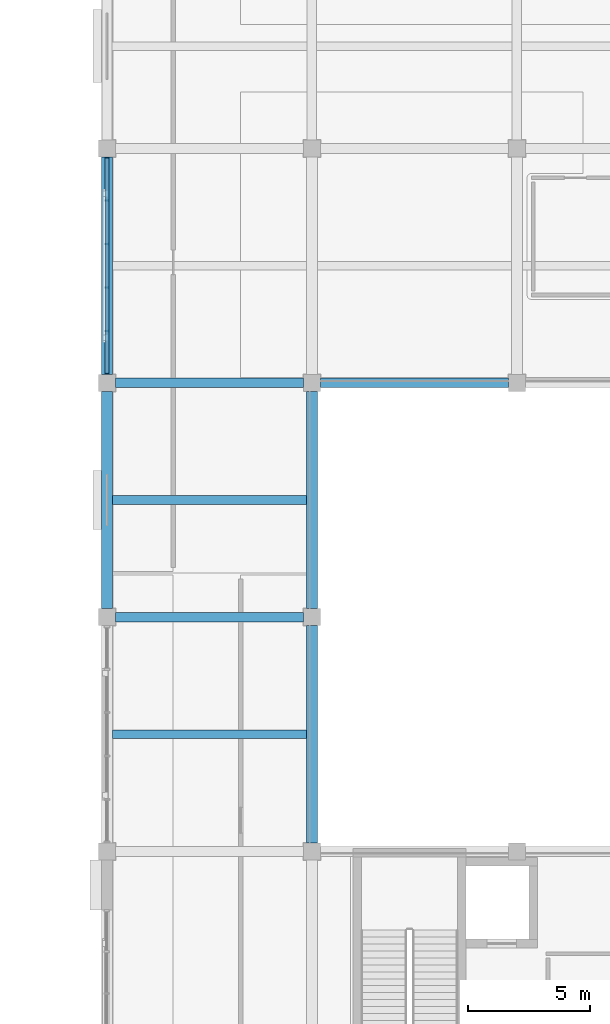
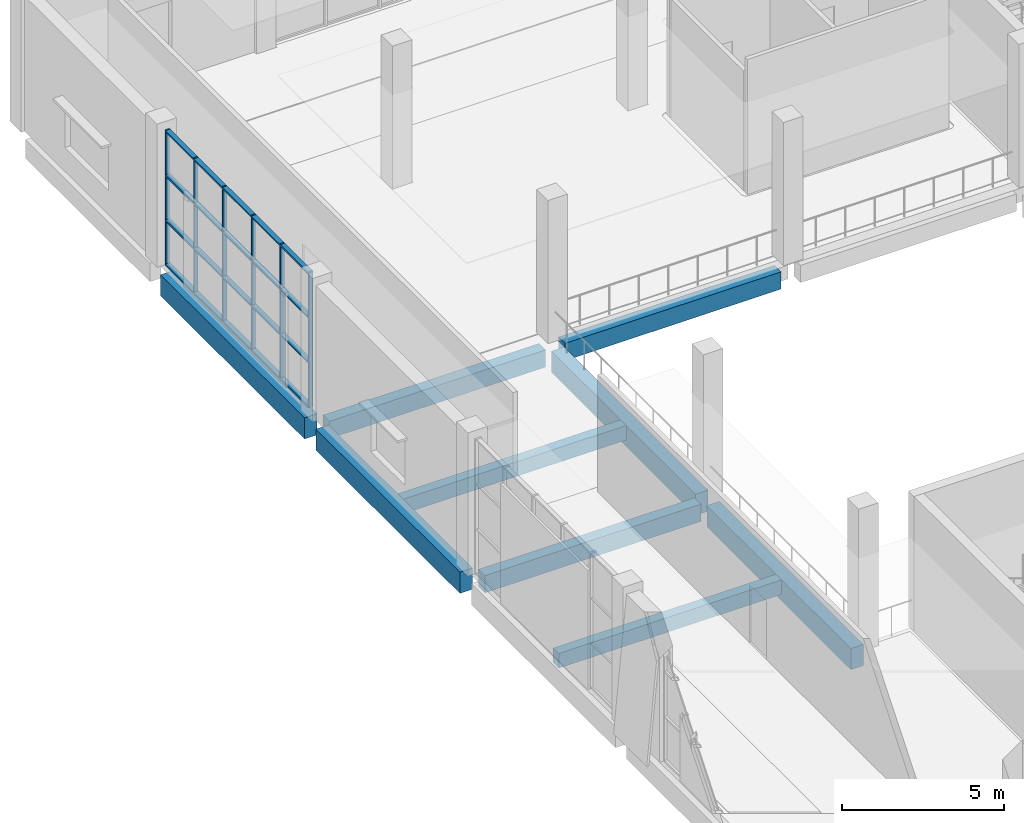
# One storey, part 29 of 72: 10 members, 9 beams, 1 element without a shape of its own.
"""IFC4 building model written with IfcOpenShell, lengths in metres."""

from ifc_helpers import new_model, si_unit, direction, frame, origin, origin_2d, place, context, subcontext, project, spatial, rectangle, extrude, material, material_profile, profile_set, type_object, element, aggregate, save


model = new_model("IFC4")

# Units and contexts
model_context = context("Model", 3, precision=1e-05, world=origin(), true_north=direction((0.0, 1.0)))
body_context = subcontext(model_context, "Body", "Model", "MODEL_VIEW")
ifc_project = project(units=[si_unit("LENGTHUNIT", "METRE"), si_unit("AREAUNIT", "SQUARE_METRE"), si_unit("VOLUMEUNIT", "CUBIC_METRE"), si_unit("PLANEANGLEUNIT", "RADIAN"), si_unit("MASSUNIT", "GRAM", prefix="KILO")], contexts=[model_context])

# Site, building, storey
site_placement = place(None, origin())
site = spatial("IfcSite", under=ifc_project, at=site_placement, CompositionType="ELEMENT")
building_placement = place(site_placement, origin())
building = spatial("IfcBuilding", under=site, at=building_placement, Name="Shalvenor Court Art Gallery", CompositionType="ELEMENT")
storey_placement = place(building_placement, frame((0.0, 0.0, 11.39990234375)))
storey = spatial("IfcBuildingStorey", under=building, at=storey_placement, Name="L02", CompositionType="ELEMENT", Elevation=11.39990234375)

# Beams
ifc_material_1 = material(Name="Concrete C40/50", Category="concrete")
ifc_material_profile_1 = material_profile(ifc_material_1, rectangle(XDim=0.449951171875, YDim=0.800048828125, at=origin_2d()), Name="RC 450x800")
ifc_profile_set_1 = profile_set([ifc_material_profile_1], Name="Concrete C40/50")
beam_type_1 = type_object("IfcBeamType", Name="B-03", PredefinedType="BEAM", material=ifc_profile_set_1)
beam_1_placement = place(storey_placement, frame((142.800048828125, 69.949951171875, -0.719970703125), z_axis=(0.0, 1.0, 0.0), x_axis=(-1.0, 0.0, 0.0)))
element("IfcBeam", 1, at=beam_1_placement, inside=storey, type_object=beam_type_1, Name="L02 Girder BM-L02-B-03-0773", PredefinedType="BEAM", context=body_context, shape_type="SweptSolid", body=[
    extrude(rectangle(XDim=0.449951171875, YDim=0.800048828125, at=origin_2d()), origin(), (0.0, 0.0, 1.0), 8.900146484375),
])
for number, where, z_axis, x_axis, name in (
    (2, (142.800048828125, 79.550048828125, -0.719970703125), (0.0, 1.0, 0.0), (-1.0, 0.0, 0.0), "L02 Girder BM-L02-B-03-0774"),
    (3, (151.199951171875, 60.35009765625, -0.719970703125), (0.0, 1.0, 0.0), (-1.0, 0.0, 0.0), "L02 Girder BM-L02-B-03-0778"),
):
    element("IfcBeam", number, at=place(storey_placement, frame(where, z_axis=z_axis, x_axis=x_axis)), inside=storey, type_object=beam_type_1, Name=name, PredefinedType="BEAM", context=body_context, shape_type="SweptSolid", body=[
        extrude(rectangle(XDim=0.449951171875, YDim=0.800048828125, at=origin_2d()), origin(), (0.0, 0.0, 1.0), 8.89990234375),
    ])
beam_2_placement = place(storey_placement, frame((151.199951171875, 69.949951171875, -0.719970703125), z_axis=(0.0, 1.0, 0.0), x_axis=(-1.0, 0.0, 0.0)))
element("IfcBeam", 4, at=beam_2_placement, inside=storey, type_object=beam_type_1, Name="L02 Girder BM-L02-B-03-0779", PredefinedType="BEAM", context=body_context, shape_type="SweptSolid", body=[
    extrude(rectangle(XDim=0.449951171875, YDim=0.800048828125, at=origin_2d()), origin(), (0.0, 0.0, 1.0), 8.900146484375),
])
ifc_material_2 = material(Name="Concrete C40/50", Category="concrete")
ifc_material_profile_2 = material_profile(ifc_material_2, rectangle(XDim=0.39990234375, YDim=0.64990234375, at=origin_2d()), Name="RC 400x650")
ifc_profile_set_2 = profile_set([ifc_material_profile_2], Name="Concrete C40/50")
beam_type_2 = type_object("IfcBeamType", Name="B-06", PredefinedType="BEAM", material=ifc_profile_set_2)
for number, where, z_axis, x_axis, name in (
    (5, (143.14990234375, 69.60009765625, -0.64501953125), (1.0, 0.0, 0.0), (0.0, 1.0, 0.0), "L02 Girder BM-L02-B-06-0853"),
    (6, (143.14990234375, 79.199951171875, -0.64501953125), (1.0, 0.0, 0.0), (0.0, 1.0, 0.0), "L02 Girder BM-L02-B-06-0859"),
):
    element("IfcBeam", number, at=place(storey_placement, frame(where, z_axis=z_axis, x_axis=x_axis)), inside=storey, type_object=beam_type_2, Name=name, PredefinedType="BEAM", context=body_context, shape_type="SweptSolid", body=[
        extrude(rectangle(XDim=0.39990234375, YDim=0.64990234375, at=origin_2d()), origin(), (0.0, 0.0, 1.0), 7.7001953125),
    ])
beam_3_placement = place(storey_placement, frame((151.550048828125, 79.199951171875, -0.64501953125), z_axis=(1.0, 0.0, 0.0), x_axis=(0.0, 1.0, 0.0)))
element("IfcBeam", 7, at=beam_3_placement, inside=storey, type_object=beam_type_2, Name="L02 Girder BM-L02-B-06-0860", PredefinedType="BEAM", context=body_context, shape_type="SweptSolid", body=[
    extrude(rectangle(XDim=0.39990234375, YDim=0.64990234375, at=origin_2d()), origin(), (0.0, 0.0, 1.0), 7.699951171875),
])

# Curtain wall, members
ifc_material_3 = material(Name="Anodised aluminium and low-iron glass curtain wall", Category="aluminium")
curtain_wall_type = type_object("IfcCurtainWallType", Name="CW-5x3-89-51-622", PredefinedType="USERDEFINED", material=ifc_material_3)
curtain_wall_placement = place(storey_placement, origin())
curtain_wall = element("IfcCurtainWall", 8, at=curtain_wall_placement, inside=storey, type_object=curtain_wall_type, Name="L02 V1 Curtain Wall CW-L02-019", ObjectType="CURTAIN WALL", PredefinedType="USERDEFINED")
ifc_material_4 = material(Name="Anodised aluminium mullion", Category="aluminium")
ifc_material_profile_3 = material_profile(ifc_material_4, rectangle(XDim=0.054931640625, YDim=0.139892578125, at=origin_2d()), Name="CWM-06")
ifc_profile_set_3 = profile_set([ifc_material_profile_3], Name="Anodised aluminium mullion")
member_type_1 = type_object("IfcMemberType", Name="CWM-06", PredefinedType="MULLION", material=ifc_profile_set_3)
member_1_placement = place(storey_placement, frame((142.800048828125, 79.577392578125, 0.0), z_axis=(0.0, 0.0, 1.0), x_axis=(0.0, 1.0, 0.0)))
member_1 = element("IfcMember", 9, at=member_1_placement, type_object=member_type_1, Name="CW-5x3-89-51-622 mullion 1", PredefinedType="MULLION", context=body_context, shape_type="SweptSolid", body=[
    extrude(rectangle(XDim=0.054931640625, YDim=0.139892578125, at=origin_2d()), origin(), (0.0, 0.0, 1.0), 5.10009765625),
])
member_2_placement = place(storey_placement, frame((142.800048828125, 81.330078125, 0.0), z_axis=(0.0, 0.0, 1.0), x_axis=(0.0, 1.0, 0.0)))
member_2 = element("IfcMember", 10, at=member_2_placement, type_object=member_type_1, Name="CW-5x3-89-51-622 mullion 2", PredefinedType="MULLION", context=body_context, shape_type="SweptSolid", body=[
    extrude(rectangle(XDim=0.054931640625, YDim=0.139892578125, at=origin_2d()), origin(), (0.0, 0.0, 1.0), 5.10009765625),
])
member_3_placement = place(storey_placement, frame((142.800048828125, 83.110107421875, 0.0), z_axis=(0.0, 0.0, 1.0), x_axis=(0.0, 1.0, 0.0)))
member_3 = element("IfcMember", 11, at=member_3_placement, type_object=member_type_1, Name="CW-5x3-89-51-622 mullion 3", PredefinedType="MULLION", context=body_context, shape_type="SweptSolid", body=[
    extrude(rectangle(XDim=0.054931640625, YDim=0.139892578125, at=origin_2d()), origin(), (0.0, 0.0, 1.0), 5.10009765625),
])
member_4_placement = place(storey_placement, frame((142.800048828125, 84.889892578125, 0.0), z_axis=(0.0, 0.0, 1.0), x_axis=(0.0, 1.0, 0.0)))
member_4 = element("IfcMember", 12, at=member_4_placement, type_object=member_type_1, Name="CW-5x3-89-51-622 mullion 4", PredefinedType="MULLION", context=body_context, shape_type="SweptSolid", body=[
    extrude(rectangle(XDim=0.054931640625, YDim=0.139892578125, at=origin_2d()), origin(), (0.0, 0.0, 1.0), 5.10009765625),
])
member_5_placement = place(storey_placement, frame((142.800048828125, 86.669921875, 0.0), z_axis=(0.0, 0.0, 1.0), x_axis=(0.0, 1.0, 0.0)))
member_5 = element("IfcMember", 13, at=member_5_placement, type_object=member_type_1, Name="CW-5x3-89-51-622 mullion 5", PredefinedType="MULLION", context=body_context, shape_type="SweptSolid", body=[
    extrude(rectangle(XDim=0.054931640625, YDim=0.139892578125, at=origin_2d()), origin(), (0.0, 0.0, 1.0), 5.10009765625),
])
member_6_placement = place(storey_placement, frame((142.800048828125, 88.422607421875, 0.0), z_axis=(0.0, 0.0, 1.0), x_axis=(0.0, 1.0, 0.0)))
member_6 = element("IfcMember", 14, at=member_6_placement, type_object=member_type_1, Name="CW-5x3-89-51-622 mullion 6", PredefinedType="MULLION", context=body_context, shape_type="SweptSolid", body=[
    extrude(rectangle(XDim=0.054931640625, YDim=0.139892578125, at=origin_2d()), origin(), (0.0, 0.0, 1.0), 5.10009765625),
])
ifc_material_5 = material(Name="Anodised aluminium transom", Category="aluminium")
ifc_material_profile_4 = material_profile(ifc_material_5, rectangle(XDim=0.169921875, YDim=0.06494140625, at=origin_2d()), Name="CWT-02")
ifc_profile_set_4 = profile_set([ifc_material_profile_4], Name="Anodised aluminium transom")
member_type_2 = type_object("IfcMemberType", Name="CWT-02", PredefinedType="USERDEFINED", material=ifc_profile_set_4)
member_7_placement = place(storey_placement, frame((142.800048828125, 79.577392578125, 0.03271484375), z_axis=(0.0, 1.0, 0.0), x_axis=(-1.0, 0.0, 0.0)))
member_7 = element("IfcMember", 15, at=member_7_placement, type_object=member_type_2, Name="CW-5x3-89-51-622 transom 1", ObjectType="TRANSOM", PredefinedType="USERDEFINED", context=body_context, shape_type="SweptSolid", body=[
    extrude(rectangle(XDim=0.169921875, YDim=0.06494140625, at=origin_2d()), origin(), (0.0, 0.0, 1.0), 8.84521484375),
])
member_8_placement = place(storey_placement, frame((142.800048828125, 79.577392578125, 1.7001953125), z_axis=(0.0, 1.0, 0.0), x_axis=(-1.0, 0.0, 0.0)))
member_8 = element("IfcMember", 16, at=member_8_placement, type_object=member_type_2, Name="CW-5x3-89-51-622 transom 2", ObjectType="TRANSOM", PredefinedType="USERDEFINED", context=body_context, shape_type="SweptSolid", body=[
    extrude(rectangle(XDim=0.169921875, YDim=0.06494140625, at=origin_2d()), origin(), (0.0, 0.0, 1.0), 8.84521484375),
])
member_9_placement = place(storey_placement, frame((142.800048828125, 79.577392578125, 3.400146484375), z_axis=(0.0, 1.0, 0.0), x_axis=(-1.0, 0.0, 0.0)))
member_9 = element("IfcMember", 17, at=member_9_placement, type_object=member_type_2, Name="CW-5x3-89-51-622 transom 3", ObjectType="TRANSOM", PredefinedType="USERDEFINED", context=body_context, shape_type="SweptSolid", body=[
    extrude(rectangle(XDim=0.169921875, YDim=0.06494140625, at=origin_2d()), origin(), (0.0, 0.0, 1.0), 8.84521484375),
])
member_10_placement = place(storey_placement, frame((142.800048828125, 79.577392578125, 5.067626953125), z_axis=(0.0, 1.0, 0.0), x_axis=(-1.0, 0.0, 0.0)))
member_10 = element("IfcMember", 18, at=member_10_placement, type_object=member_type_2, Name="CW-5x3-89-51-622 transom 4", ObjectType="TRANSOM", PredefinedType="USERDEFINED", context=body_context, shape_type="SweptSolid", body=[
    extrude(rectangle(XDim=0.169921875, YDim=0.06494140625, at=origin_2d()), origin(), (0.0, 0.0, 1.0), 8.84521484375),
])
aggregate(curtain_wall, [member_1, member_2, member_3, member_4, member_5, member_6, member_7, member_8, member_9, member_10])

# Beams
ifc_material_6 = material(Name="Concrete C40/50", Category="concrete")
ifc_material_profile_5 = material_profile(ifc_material_6, rectangle(XDim=0.35009765625, YDim=0.550048828125, at=origin_2d()), Name="RC 350x550")
ifc_profile_set_5 = profile_set([ifc_material_profile_5], Name="Concrete C40/50")
beam_type_3 = type_object("IfcBeamType", Name="J-02", PredefinedType="JOIST", material=ifc_profile_set_5)
for number, where, z_axis, x_axis, name in (
    (19, (143.02490234375, 64.800048828125, -0.594970703125), (1.0, 0.0, 0.0), (0.0, 1.0, 0.0), "L02 Secondary Beam JST-L02-J-02-0951"),
    (20, (143.02490234375, 74.39990234375, -0.594970703125), (1.0, 0.0, 0.0), (0.0, 1.0, 0.0), "L02 Secondary Beam JST-L02-J-02-0952"),
):
    element("IfcBeam", number, at=place(storey_placement, frame(where, z_axis=z_axis, x_axis=x_axis)), inside=storey, type_object=beam_type_3, Name=name, PredefinedType="JOIST", context=body_context, shape_type="SweptSolid", body=[
        extrude(rectangle(XDim=0.35009765625, YDim=0.550048828125, at=origin_2d()), origin(), (0.0, 0.0, 1.0), 7.9501953125),
    ])

save(model, "model.ifc")
